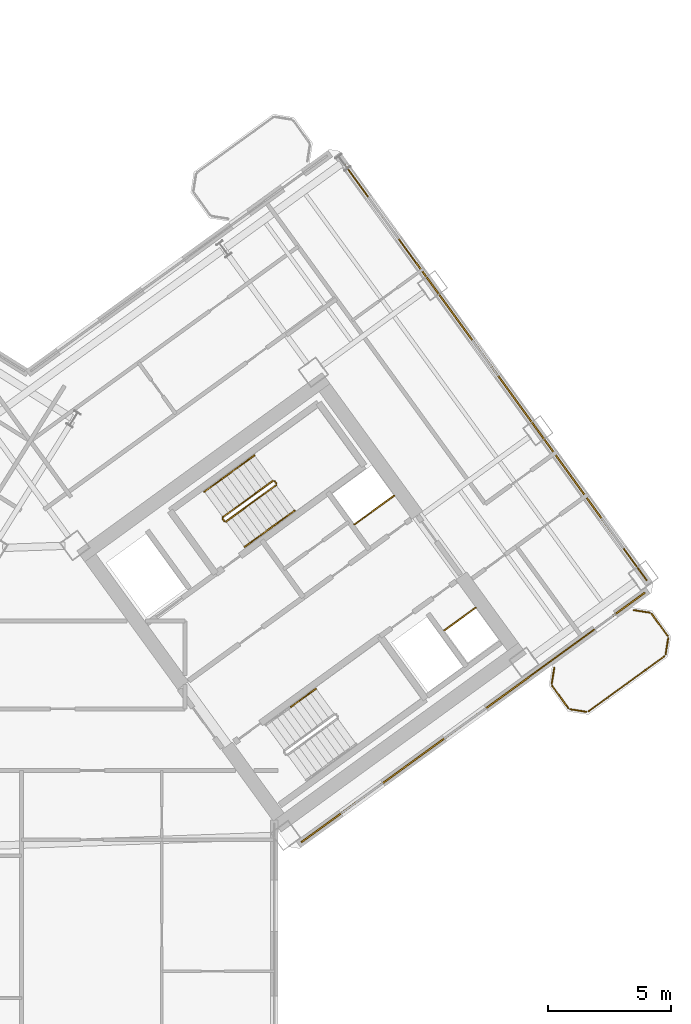
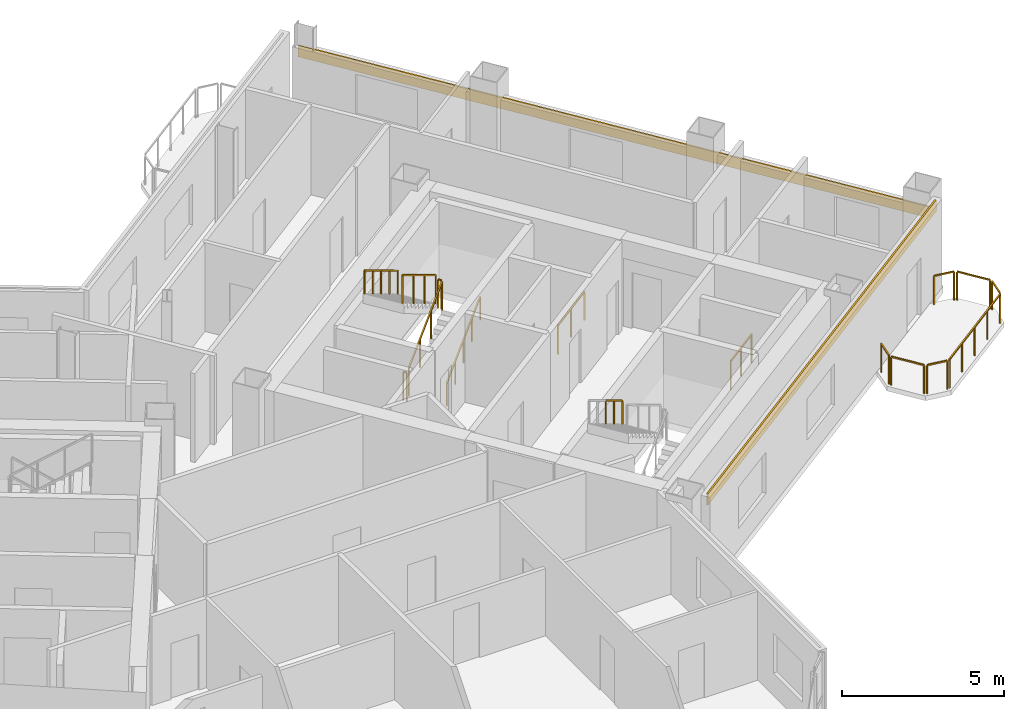
# One storey, part 20 of 21: 18 railings, 2 coverings.
"""IFC4 building model written with IfcOpenShell, lengths in metres."""

from ifc_helpers import new_model, si_unit, direction, frame, origin, origin_2d, place, context, subcontext, project, spatial, rectangle, extrude, source, transform, mapped, material, layer, layer_set, type_object, element, save


model = new_model("IFC4")

# Units and contexts
model_context = context("Model", 3, precision=1e-05, world=origin(), true_north=direction((0.0, 1.0)))
body_context = subcontext(model_context, "Body", "Model", "MODEL_VIEW")
ifc_project = project(units=[si_unit("LENGTHUNIT", "METRE"), si_unit("AREAUNIT", "SQUARE_METRE"), si_unit("VOLUMEUNIT", "CUBIC_METRE"), si_unit("PLANEANGLEUNIT", "RADIAN"), si_unit("MASSUNIT", "GRAM", prefix="KILO")], contexts=[model_context])

# Site, building, storey
site_placement = place(None, origin())
site = spatial("IfcSite", under=ifc_project, at=site_placement, CompositionType="ELEMENT")
building_placement = place(site_placement, origin())
building = spatial("IfcBuilding", under=site, at=building_placement, Name="Tlacorven Tower", CompositionType="ELEMENT")
storey_placement = place(building_placement, frame((0.0, 0.0, 119.699951171875)))
storey = spatial("IfcBuildingStorey", under=building, at=storey_placement, Name="L30", CompositionType="ELEMENT", Elevation=119.699951171875)

# Railings
ifc_material_1 = material(Name="Aluminium and painted steel balustrade", Category="steel")
railing_type_1 = type_object("IfcRailingType", Name="RL-GRD-1100", PredefinedType="GUARDRAIL", material=ifc_material_1)
shared_shape_1 = source(origin(), body_context, "Body", "SweptSolid", [
    extrude(rectangle(XDim=0.048095703125, YDim=0.048095703125, at=origin_2d()), frame((0.0, 0.0, 1.076171875), z_axis=(0.808947177504, 0.587881334972, 0.0), x_axis=(-0.587881334972, 0.808947177504, 0.0)), (0.0, 0.0, 1.0), 2.0),
    extrude(rectangle(XDim=0.0419921875, YDim=0.0419921875, at=origin_2d()), origin(), (0.0, 0.0, 1.0), 1.052001953125),
    extrude(rectangle(XDim=0.0419921875, YDim=0.0419921875, at=origin_2d()), frame((0.80908203125, 0.587890625, 0.0)), (0.0, 0.0, 1.0), 1.052001953125),
    extrude(rectangle(XDim=0.0419921875, YDim=0.0419921875, at=origin_2d()), frame((1.617919921875, 1.17578125, 0.0)), (0.0, 0.0, 1.0), 1.052001953125),
])
railing_1_placement = place(storey_placement, frame((55.506103515625, 25.438232421875, 0.0)))
element("IfcRailing", 1, at=railing_1_placement, inside=storey, type_object=railing_type_1, Name="L30 Electrical Riser E Shaft Guard 1", PredefinedType="GUARDRAIL", context=body_context, shape_type="MappedRepresentation", body=[
    mapped(shared_shape_1, transform((0.0, 0.0, 0.0), scale=1.0)),
])
shared_shape_2 = source(origin(), body_context, "Body", "SweptSolid", [
    extrude(rectangle(XDim=0.048095703125, YDim=0.048095703125, at=origin_2d()), frame((0.0, 0.0, 1.076171875), z_axis=(0.809029975545, 0.58776738483, 0.0), x_axis=(-0.58776738483, 0.809029975545, 0.0)), (0.0, 0.0, 1.0), 1.580078125),
    extrude(rectangle(XDim=0.0419921875, YDim=0.0419921875, at=origin_2d()), origin(), (0.0, 0.0, 1.0), 1.052001953125),
    extrude(rectangle(XDim=0.0419921875, YDim=0.0419921875, at=origin_2d()), frame((0.63916015625, 0.46435546875, 0.0)), (0.0, 0.0, 1.0), 1.052001953125),
    extrude(rectangle(XDim=0.0419921875, YDim=0.0419921875, at=origin_2d()), frame((1.2783203125, 0.9287109375, 0.0)), (0.0, 0.0, 1.0), 1.052001953125),
])
railing_2_placement = place(storey_placement, frame((59.160888671875, 21.122314453125, 0.0)))
element("IfcRailing", 2, at=railing_2_placement, inside=storey, type_object=railing_type_1, Name="L30 Smoke Riser E Shaft Guard 1", PredefinedType="GUARDRAIL", context=body_context, shape_type="MappedRepresentation", body=[
    mapped(shared_shape_2, transform((0.0, 0.0, 0.0), scale=1.0)),
])
railing_type_2 = type_object("IfcRailingType", Name="RL-BAL-1100", PredefinedType="BALUSTRADE", material=ifc_material_1)
shared_shape_3 = source(origin(), body_context, "Body", "SweptSolid", [
    extrude(rectangle(XDim=0.048095703125, YDim=0.048095703125, at=origin_2d()), frame((0.0, 0.0, 1.076171875), z_axis=(0.156602868908, 0.987661653326, 0.0), x_axis=(-0.987661653326, 0.156602868908, 0.0)), (0.0, 0.0, 1.0), 0.665771484375),
    extrude(rectangle(XDim=0.0419921875, YDim=0.0419921875, at=origin_2d()), origin(), (0.0, 0.0, 1.0), 1.052001953125),
    extrude(rectangle(XDim=0.0419921875, YDim=0.0419921875, at=origin_2d()), frame((0.104248046875, 0.657470703125, 0.0)), (0.0, 0.0, 1.0), 1.052001953125),
])
railing_3_placement = place(storey_placement, frame((63.539306640625, 18.949951171875, 0.0)))
element("IfcRailing", 3, at=railing_3_placement, inside=storey, type_object=railing_type_2, Name="BAL-L30-E-OUT Guard Railing 3", PredefinedType="BALUSTRADE", context=body_context, shape_type="MappedRepresentation", body=[
    mapped(shared_shape_3, transform((0.0, 0.0, 0.0), scale=1.0)),
])
shared_shape_4 = source(origin(), body_context, "Body", "SweptSolid", [
    extrude(rectangle(XDim=0.048095703125, YDim=0.048095703125, at=origin_2d()), frame((0.0, 0.0, 1.076171875), z_axis=(0.58788449985, -0.808944877501, 0.0), x_axis=(0.808944877501, 0.58788449985, 0.0)), (0.0, 0.0, 1.0), 1.112060546875),
    extrude(rectangle(XDim=0.0419921875, YDim=0.0419921875, at=origin_2d()), origin(), (0.0, 0.0, 1.0), 1.052001953125),
    extrude(rectangle(XDim=0.0419921875, YDim=0.0419921875, at=origin_2d()), frame((0.65380859375, -0.899658203125, 0.0)), (0.0, 0.0, 1.0), 1.052001953125),
])
railing_4_placement = place(storey_placement, frame((67.60595703125, 21.799072265625, 0.0)))
element("IfcRailing", 4, at=railing_4_placement, inside=storey, type_object=railing_type_2, Name="BAL-L30-E-OUT Guard Railing 5", PredefinedType="BALUSTRADE", context=body_context, shape_type="MappedRepresentation", body=[
    mapped(shared_shape_4, transform((0.0, 0.0, 0.0), scale=1.0)),
])
shared_shape_5 = source(origin(), body_context, "Body", "SweptSolid", [
    extrude(rectangle(XDim=0.048095703125, YDim=0.048095703125, at=origin_2d()), frame((0.0, 0.0, 1.076171875), z_axis=(-0.809018102573, -0.587783726986, 0.0), x_axis=(0.587783726986, -0.809018102573, 0.0)), (0.0, 0.0, 1.0), 3.817138671875),
    extrude(rectangle(XDim=0.0419921875, YDim=0.0419921875, at=origin_2d()), origin(), (0.0, 0.0, 1.0), 1.052001953125),
    extrude(rectangle(XDim=0.0419921875, YDim=0.0419921875, at=origin_2d()), frame((-0.77197265625, -0.56103515625, 0.0)), (0.0, 0.0, 1.0), 1.052001953125),
    extrude(rectangle(XDim=0.0419921875, YDim=0.0419921875, at=origin_2d()), frame((-1.5439453125, -1.121826171875, 0.0)), (0.0, 0.0, 1.0), 1.052001953125),
    extrude(rectangle(XDim=0.0419921875, YDim=0.0419921875, at=origin_2d()), frame((-2.316162109375, -1.6826171875, 0.0)), (0.0, 0.0, 1.0), 1.052001953125),
    extrude(rectangle(XDim=0.0419921875, YDim=0.0419921875, at=origin_2d()), frame((-3.088134765625, -2.24365234375, 0.0)), (0.0, 0.0, 1.0), 1.052001953125),
])
railing_5_placement = place(storey_placement, frame((68.12890625, 20.0732421875, 0.0)))
element("IfcRailing", 5, at=railing_5_placement, inside=storey, type_object=railing_type_2, Name="BAL-L30-E-OUT Guard Railing 7", PredefinedType="BALUSTRADE", context=body_context, shape_type="MappedRepresentation", body=[
    mapped(shared_shape_5, transform((0.0, 0.0, 0.0), scale=1.0)),
])
shared_shape_6 = source(origin(), body_context, "Body", "SweptSolid", [
    extrude(rectangle(XDim=0.048095703125, YDim=0.048095703125, at=origin_2d()), frame((0.0, 0.0, 1.076171875), z_axis=(-0.987718317463, 0.156245081039, 0.0), x_axis=(-0.156245081039, -0.987718317463, 0.0)), (0.0, 0.0, 1.0), 0.66552734375),
    extrude(rectangle(XDim=0.0419921875, YDim=0.0419921875, at=origin_2d()), origin(), (0.0, 0.0, 1.0), 1.052001953125),
    extrude(rectangle(XDim=0.0419921875, YDim=0.0419921875, at=origin_2d()), frame((-0.657470703125, 0.10400390625, 0.0)), (0.0, 0.0, 1.0), 1.052001953125),
])
railing_6_placement = place(storey_placement, frame((64.950927734375, 17.80810546875, 0.0)))
element("IfcRailing", 6, at=railing_6_placement, inside=storey, type_object=railing_type_2, Name="BAL-L30-E-OUT Guard Railing 1", PredefinedType="BALUSTRADE", context=body_context, shape_type="MappedRepresentation", body=[
    mapped(shared_shape_6, transform((0.0, 0.0, 0.0), scale=1.0)),
])
shared_shape_7 = source(origin(), body_context, "Body", "SweptSolid", [
    extrude(rectangle(XDim=0.048095703125, YDim=0.048095703125, at=origin_2d()), frame((0.0, 0.0, 1.076171875), z_axis=(-0.587740817519, 0.809049276263, 0.0), x_axis=(-0.809049276263, -0.587740817519, 0.0)), (0.0, 0.0, 1.0), 1.112060546875),
    extrude(rectangle(XDim=0.0419921875, YDim=0.0419921875, at=origin_2d()), origin(), (0.0, 0.0, 1.0), 1.052001953125),
    extrude(rectangle(XDim=0.0419921875, YDim=0.0419921875, at=origin_2d()), frame((-0.653564453125, 0.899658203125, 0.0)), (0.0, 0.0, 1.0), 1.052001953125),
])
railing_7_placement = place(storey_placement, frame((64.214599609375, 17.96044921875, 0.0)))
element("IfcRailing", 7, at=railing_7_placement, inside=storey, type_object=railing_type_2, Name="BAL-L30-E-OUT Guard Railing 2", PredefinedType="BALUSTRADE", context=body_context, shape_type="MappedRepresentation", body=[
    mapped(shared_shape_7, transform((0.0, 0.0, 0.0), scale=1.0)),
])
shared_shape_8 = source(origin(), body_context, "Body", "SweptSolid", [
    extrude(rectangle(XDim=0.048095703125, YDim=0.048095703125, at=origin_2d()), frame((0.0, 0.0, 1.076171875), z_axis=(-0.156245081039, -0.987718317463, 0.0), x_axis=(0.987718317463, -0.156245081039, 0.0)), (0.0, 0.0, 1.0), 0.66552734375),
    extrude(rectangle(XDim=0.0419921875, YDim=0.0419921875, at=origin_2d()), origin(), (0.0, 0.0, 1.0), 1.052001953125),
    extrude(rectangle(XDim=0.0419921875, YDim=0.0419921875, at=origin_2d()), frame((-0.10400390625, -0.657470703125, 0.0)), (0.0, 0.0, 1.0), 1.052001953125),
])
railing_8_placement = place(storey_placement, frame((68.28125, 20.8095703125, 0.0)))
element("IfcRailing", 8, at=railing_8_placement, inside=storey, type_object=railing_type_2, Name="BAL-L30-E-OUT Guard Railing 6", PredefinedType="BALUSTRADE", context=body_context, shape_type="MappedRepresentation", body=[
    mapped(shared_shape_8, transform((0.0, 0.0, 0.0), scale=1.0)),
])

# Coverings
ifc_material_2 = material(Name="Precast concrete C45/55", Category="concrete")
ifc_layer = layer(ifc_material_2, 0.06005859375)
ifc_layer_set = layer_set([ifc_layer], Name="Precast concrete C45/55")
covering_type = type_object("IfcCoveringType", Name="CV-CLD-TERC", PredefinedType="CLADDING", material=ifc_layer_set)
shared_shape_9 = source(origin(), body_context, "Body", "SweptSolid", [
    extrude(rectangle(XDim=21.287353515625, YDim=0.06005859375, at=origin_2d()), origin(), (0.0, 0.0, 1.0), 0.419921875),
])
covering_1_placement = place(storey_placement, frame((61.15478515625, 31.767333984375, 2.35498046875), z_axis=(0.0, 0.0, 1.0), x_axis=(0.587785363163, -0.809016913823, 0.0)))
element("IfcCovering", 9, at=covering_1_placement, inside=storey, type_object=covering_type, Name="L30 Masonry-Frame Spandrel Cladding 5", PredefinedType="CLADDING", context=body_context, shape_type="MappedRepresentation", body=[
    mapped(shared_shape_9, transform((0.0, 0.0, 0.0), scale=1.0)),
])
shared_shape_10 = source(origin(), body_context, "Body", "SweptSolid", [
    extrude(rectangle(XDim=17.287353515625, YDim=0.06005859375, at=origin_2d()), origin(), (0.0, 0.0, 1.0), 0.419921875),
])
covering_2_placement = place(storey_placement, frame((60.339111328125, 17.578125, 2.93017578125), z_axis=(0.0, 0.0, 1.0), x_axis=(-0.809016829126, -0.587785479738, 0.0)))
element("IfcCovering", 10, at=covering_2_placement, inside=storey, type_object=covering_type, Name="L30 Masonry-Frame Spandrel Cladding 6", PredefinedType="CLADDING", context=body_context, shape_type="MappedRepresentation", body=[
    mapped(shared_shape_10, transform((0.0, 0.0, 0.0), scale=1.0)),
])

# Railings
shared_shape_11 = source(origin(), body_context, "Body", "SweptSolid", [
    extrude(rectangle(XDim=0.048095703125, YDim=0.048095703125, at=origin_2d()), frame((0.0, 0.0, 1.076171875), z_axis=(0.987727266442, -0.156188498702, 0.0), x_axis=(0.156188498702, 0.987727266442, 0.0)), (0.0, 0.0, 1.0), 0.665771484375),
    extrude(rectangle(XDim=0.0419921875, YDim=0.0419921875, at=origin_2d()), origin(), (0.0, 0.0, 1.0), 1.052001953125),
    extrude(rectangle(XDim=0.0419921875, YDim=0.0419921875, at=origin_2d()), frame((0.65771484375, -0.10400390625, 0.0)), (0.0, 0.0, 1.0), 1.052001953125),
])
railing_9_placement = place(storey_placement, frame((66.86962890625, 21.951416015625, 0.0)))
element("IfcRailing", 11, at=railing_9_placement, inside=storey, type_object=railing_type_2, Name="BAL-L30-E-OUT Guard Railing 4", PredefinedType="BALUSTRADE", context=body_context, shape_type="MappedRepresentation", body=[
    mapped(shared_shape_11, transform((0.0, 0.0, 0.0), scale=1.0)),
])
shared_shape_12 = source(origin(), body_context, "Body", "SweptSolid", [
    extrude(rectangle(XDim=0.048095703125, YDim=0.048095703125, at=origin_2d()), frame((0.0, 0.0, 1.076171875), z_axis=(-0.587201422542, 0.809440849824, 0.0), x_axis=(-0.809440849824, -0.587201422542, 0.0)), (0.0, 0.0, 1.0), 0.11962890625),
    extrude(rectangle(XDim=0.0419921875, YDim=0.0419921875, at=origin_2d()), origin(), (0.0, 0.0, 1.0), 1.052001953125),
    extrude(rectangle(XDim=0.0419921875, YDim=0.0419921875, at=origin_2d()), frame((-0.0703125, 0.096923828125, 0.0)), (0.0, 0.0, 1.0), 1.052001953125),
])
for number, where, name in (
    (12, (52.326904296875, 27.10888671875, 1.800048828125), "L30 ST-E1 stair guard 2"),
    (13, (50.207275390625, 25.56884765625, 0.0), "L30 ST-E1 stair guard 4"),
):
    element("IfcRailing", number, at=place(storey_placement, frame(where)), inside=storey, type_object=railing_type_1, Name=name, PredefinedType="GUARDRAIL", context=body_context, shape_type="MappedRepresentation", body=[
        mapped(shared_shape_12, transform((0.0, 0.0, 0.0), scale=1.0)),
    ])
shared_shape_13 = source(origin(), body_context, "Body", "SweptSolid", [
    extrude(rectangle(XDim=0.048095703125, YDim=0.048095703125, at=origin_2d()), frame((0.0, 0.0, 1.076171875), z_axis=(0.680488636597, 0.494434078831, 0.540805100894), x_axis=(-0.5878087079, 0.808999952359, 0.0)), (0.0, 0.0, 1.0), 2.995849609375),
    extrude(rectangle(XDim=0.0419921875, YDim=0.0419921875, at=origin_2d()), origin(), (0.0, 0.0, 1.0), 1.052001953125),
    extrude(rectangle(XDim=0.0419921875, YDim=0.0419921875, at=origin_2d()), frame((0.679443359375, 0.49365234375, 0.5400390625)), (0.0, 0.0, 1.0), 1.052001953125),
    extrude(rectangle(XDim=0.0419921875, YDim=0.0419921875, at=origin_2d()), frame((1.359130859375, 0.987548828125, 1.080078125)), (0.0, 0.0, 1.0), 1.052001953125),
    extrude(rectangle(XDim=0.0419921875, YDim=0.0419921875, at=origin_2d()), frame((2.03857421875, 1.481201171875, 1.6201171875)), (0.0, 0.0, 1.0), 1.052001953125),
])
railing_10_placement = place(storey_placement, frame((50.27734375, 25.557861328125, 0.179931640625)))
element("IfcRailing", 14, at=railing_10_placement, inside=storey, type_object=railing_type_1, Name="L30 ST-E1 stair guard 1", PredefinedType="GUARDRAIL", context=body_context, shape_type="MappedRepresentation", body=[
    mapped(shared_shape_13, transform((0.0, 0.0, 0.0), scale=1.0)),
])
shared_shape_14 = source(origin(), body_context, "Body", "SweptSolid", [
    extrude(rectangle(XDim=0.048095703125, YDim=0.048095703125, at=origin_2d()), frame((0.0, 0.0, 1.076171875), z_axis=(-0.680488636597, -0.494434078831, 0.540805100894), x_axis=(0.5878087079, -0.808999952359, 0.0)), (0.0, 0.0, 1.0), 2.995849609375),
    extrude(rectangle(XDim=0.0419921875, YDim=0.0419921875, at=origin_2d()), origin(), (0.0, 0.0, 1.0), 1.052001953125),
    extrude(rectangle(XDim=0.0419921875, YDim=0.0419921875, at=origin_2d()), frame((-0.679443359375, -0.49365234375, 0.5400390625)), (0.0, 0.0, 1.0), 1.052001953125),
    extrude(rectangle(XDim=0.0419921875, YDim=0.0419921875, at=origin_2d()), frame((-1.359130859375, -0.987548828125, 1.080078125)), (0.0, 0.0, 1.0), 1.052001953125),
    extrude(rectangle(XDim=0.0419921875, YDim=0.0419921875, at=origin_2d()), frame((-2.03857421875, -1.481201171875, 1.6201171875)), (0.0, 0.0, 1.0), 1.052001953125),
])
railing_11_placement = place(storey_placement, frame((52.1865234375, 27.217041015625, 1.97998046875)))
element("IfcRailing", 15, at=railing_11_placement, inside=storey, type_object=railing_type_1, Name="L30 ST-E1 stair guard 3", PredefinedType="GUARDRAIL", context=body_context, shape_type="MappedRepresentation", body=[
    mapped(shared_shape_14, transform((0.0, 0.0, 0.0), scale=1.0)),
])
railing_type_3 = type_object("IfcRailingType", Name="RL-HND-0900", PredefinedType="HANDRAIL", material=ifc_material_1)
shared_shape_15 = source(origin(), body_context, "Body", "SweptSolid", [
    extrude(rectangle(XDim=0.048095703125, YDim=0.048095703125, at=origin_2d()), frame((0.0, 0.0, 0.8759765625), z_axis=(0.680516055757, 0.494372502302, 0.540826891737), x_axis=(-0.587745292299, 0.809046025502, 0.0)), (0.0, 0.0, 1.0), 1.497802734375),
    extrude(rectangle(XDim=0.0419921875, YDim=0.0419921875, at=origin_2d()), origin(), (0.0, 0.0, 1.0), 0.851806640625),
    extrude(rectangle(XDim=0.0419921875, YDim=0.0419921875, at=origin_2d()), frame((0.509765625, 0.3701171875, 0.405029296875)), (0.0, 0.0, 1.0), 0.851806640625),
    extrude(rectangle(XDim=0.0419921875, YDim=0.0419921875, at=origin_2d()), frame((1.019287109375, 0.740478515625, 0.81005859375)), (0.0, 0.0, 1.0), 0.851806640625),
])
railing_12_placement = place(storey_placement, frame((51.029541015625, 24.522216796875, 0.179931640625)))
element("IfcRailing", 16, at=railing_12_placement, inside=storey, type_object=railing_type_3, Name="L30 ST-E1 stair handrail 1", PredefinedType="HANDRAIL", context=body_context, shape_type="MappedRepresentation", body=[
    mapped(shared_shape_15, transform((0.0, 0.0, 0.0), scale=1.0)),
])
shared_shape_16 = source(origin(), body_context, "Body", "SweptSolid", [
    extrude(rectangle(XDim=0.048095703125, YDim=0.048095703125, at=origin_2d()), frame((0.0, 0.0, 0.8759765625), z_axis=(0.680548719995, 0.49444080854, 0.540723336433), x_axis=(-0.587779977844, 0.80902082646, 0.0)), (0.0, 0.0, 1.0), 1.498046875),
    extrude(rectangle(XDim=0.0419921875, YDim=0.0419921875, at=origin_2d()), origin(), (0.0, 0.0, 1.0), 0.851806640625),
    extrude(rectangle(XDim=0.0419921875, YDim=0.0419921875, at=origin_2d()), frame((0.509765625, 0.370361328125, 0.405029296875)), (0.0, 0.0, 1.0), 0.851806640625),
    extrude(rectangle(XDim=0.0419921875, YDim=0.0419921875, at=origin_2d()), frame((1.01953125, 0.74072265625, 0.81005859375)), (0.0, 0.0, 1.0), 0.851806640625),
])
railing_13_placement = place(storey_placement, frame((52.048828125, 25.2626953125, 0.989990234375)))
element("IfcRailing", 17, at=railing_13_placement, inside=storey, type_object=railing_type_3, Name="L30 ST-E1 stair handrail 2", PredefinedType="HANDRAIL", context=body_context, shape_type="MappedRepresentation", body=[
    mapped(shared_shape_16, transform((0.0, 0.0, 0.0), scale=1.0)),
])
shared_shape_17 = source(origin(), body_context, "Body", "SweptSolid", [
    extrude(rectangle(XDim=0.048095703125, YDim=0.048095703125, at=origin_2d()), frame((0.0, 0.0, 0.8759765625), z_axis=(-0.680603554404, -0.494317667746, 0.540766904577), x_axis=(0.587653156371, -0.809112951205, 0.0)), (0.0, 0.0, 1.0), 1.498046875),
    extrude(rectangle(XDim=0.0419921875, YDim=0.0419921875, at=origin_2d()), origin(), (0.0, 0.0, 1.0), 0.851806640625),
    extrude(rectangle(XDim=0.0419921875, YDim=0.0419921875, at=origin_2d()), frame((-0.509765625, -0.3701171875, 0.405029296875)), (0.0, 0.0, 1.0), 0.851806640625),
    extrude(rectangle(XDim=0.0419921875, YDim=0.0419921875, at=origin_2d()), frame((-1.01953125, -0.740478515625, 0.81005859375)), (0.0, 0.0, 1.0), 0.851806640625),
])
railing_14_placement = place(storey_placement, frame((51.434326171875, 28.25244140625, 1.97998046875)))
element("IfcRailing", 18, at=railing_14_placement, inside=storey, type_object=railing_type_3, Name="L30 ST-E1 stair handrail 3", PredefinedType="HANDRAIL", context=body_context, shape_type="MappedRepresentation", body=[
    mapped(shared_shape_17, transform((0.0, 0.0, 0.0), scale=1.0)),
])
shared_shape_18 = source(origin(), body_context, "Body", "SweptSolid", [
    extrude(rectangle(XDim=0.048095703125, YDim=0.048095703125, at=origin_2d()), frame((0.0, 0.0, 0.8759765625), z_axis=(-0.680461216233, -0.494495647917, 0.540783309093), x_axis=(0.587872112667, -0.808953879494, 0.0)), (0.0, 0.0, 1.0), 1.498046875),
    extrude(rectangle(XDim=0.0419921875, YDim=0.0419921875, at=origin_2d()), origin(), (0.0, 0.0, 1.0), 0.851806640625),
    extrude(rectangle(XDim=0.0419921875, YDim=0.0419921875, at=origin_2d()), frame((-0.509765625, -0.370361328125, 0.405029296875)), (0.0, 0.0, 1.0), 0.851806640625),
    extrude(rectangle(XDim=0.0419921875, YDim=0.0419921875, at=origin_2d()), frame((-1.019287109375, -0.74072265625, 0.81005859375)), (0.0, 0.0, 1.0), 0.851806640625),
])
railing_15_placement = place(storey_placement, frame((50.414794921875, 27.511962890625, 2.7900390625)))
element("IfcRailing", 19, at=railing_15_placement, inside=storey, type_object=railing_type_3, Name="L30 ST-E1 stair handrail 4", PredefinedType="HANDRAIL", context=body_context, shape_type="MappedRepresentation", body=[
    mapped(shared_shape_18, transform((0.0, 0.0, 0.0), scale=1.0)),
])
shared_shape_19 = source(origin(), body_context, "Body", "SweptSolid", [
    extrude(rectangle(XDim=0.048095703125, YDim=0.048095703125, at=origin_2d()), frame((0.0, 0.0, 0.8759765625), z_axis=(-0.680516055757, -0.494372502302, 0.540826891737), x_axis=(0.587745292299, -0.809046025502, 0.0)), (0.0, 0.0, 1.0), 1.497802734375),
    extrude(rectangle(XDim=0.0419921875, YDim=0.0419921875, at=origin_2d()), origin(), (0.0, 0.0, 1.0), 0.851806640625),
    extrude(rectangle(XDim=0.0419921875, YDim=0.0419921875, at=origin_2d()), frame((-0.509765625, -0.3701171875, 0.405029296875)), (0.0, 0.0, 1.0), 0.851806640625),
    extrude(rectangle(XDim=0.0419921875, YDim=0.0419921875, at=origin_2d()), frame((-1.019287109375, -0.740478515625, 0.81005859375)), (0.0, 0.0, 1.0), 0.851806640625),
])
railing_16_placement = place(storey_placement, frame((53.938232421875, 18.749267578125, 1.97998046875)))
element("IfcRailing", 20, at=railing_16_placement, inside=storey, type_object=railing_type_3, Name="L30 ST-E2 stair handrail 3", PredefinedType="HANDRAIL", context=body_context, shape_type="MappedRepresentation", body=[
    mapped(shared_shape_19, transform((0.0, 0.0, 0.0), scale=1.0)),
])

save(model, "model.ifc")
